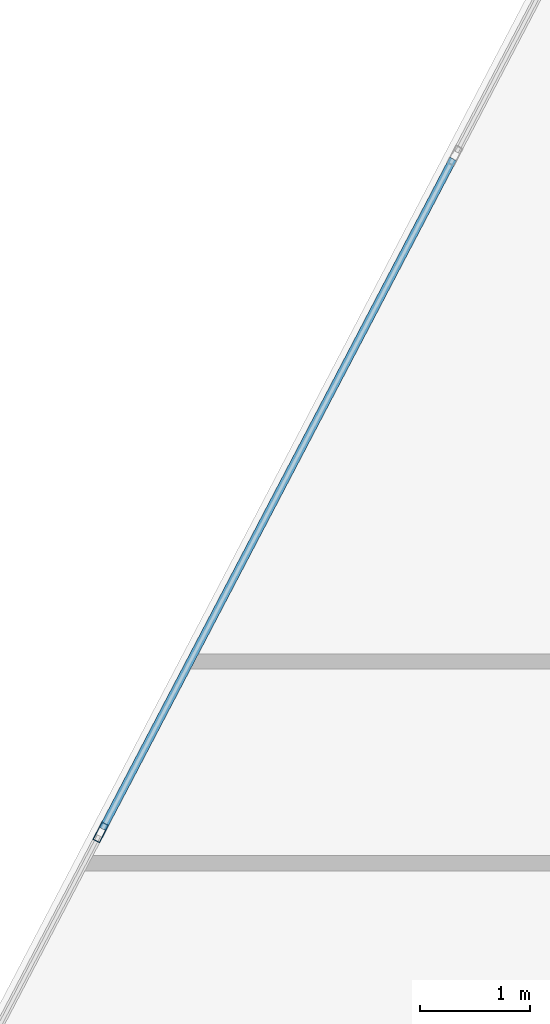
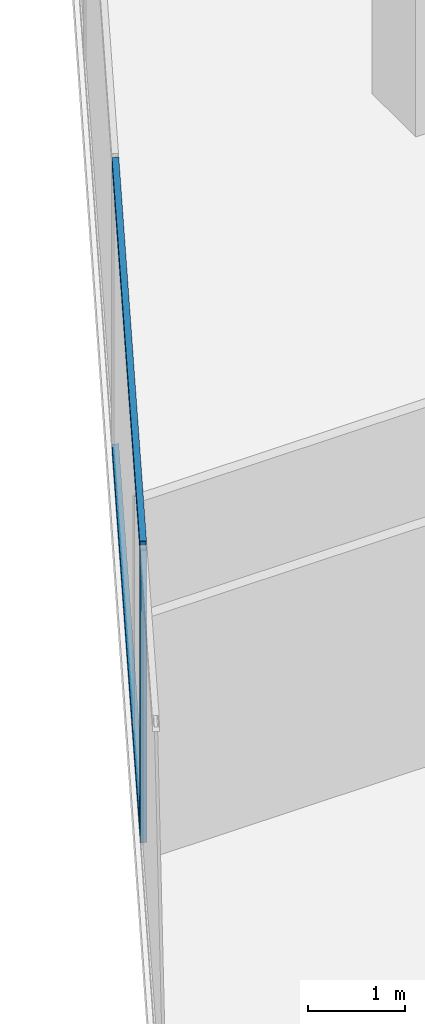
# One storey, part 7 of 27: 3 members, 1 element without a shape of its own.
"""IFC4 building model written with IfcOpenShell, lengths in metres."""

from ifc_helpers import new_model, si_unit, direction, frame, origin, origin_2d, place, context, subcontext, project, spatial, hollow_rectangle, extrude, source, transform, mapped, material, material_profile, profile_set, type_object, type_shapes, element, aggregate, save


model = new_model("IFC4")

# Units and contexts
model_context = context("Model", 3, precision=1e-05, world=origin(), true_north=direction((0.0, 1.0)))
body_context = subcontext(model_context, "Body", "Model", "MODEL_VIEW")
ifc_project = project(units=[si_unit("LENGTHUNIT", "METRE"), si_unit("AREAUNIT", "SQUARE_METRE"), si_unit("VOLUMEUNIT", "CUBIC_METRE"), si_unit("PLANEANGLEUNIT", "RADIAN"), si_unit("MASSUNIT", "GRAM", prefix="KILO")], contexts=[model_context])

# Site, building, storey
site_placement = place(None, origin())
site = spatial("IfcSite", under=ifc_project, at=site_placement, CompositionType="ELEMENT")
building_placement = place(site_placement, origin())
building = spatial("IfcBuilding", under=site, at=building_placement, Name="Krantzveldt Concourse Tower", CompositionType="ELEMENT")
storey_placement = place(building_placement, frame((0.0, 0.0, 154.10009765625)))
storey = spatial("IfcBuildingStorey", under=building, at=storey_placement, Name="L37", CompositionType="ELEMENT", Elevation=154.10009765625)

# Curtain wall, members
ifc_material = material(Name="Anodised aluminium 6063-T6", Category="aluminium")
curtain_wall_type = type_object("IfcCurtainWallType", Name="CW3", PredefinedType="USERDEFINED", material=ifc_material)
curtain_wall_placement = place(storey_placement, origin())
curtain_wall = element("IfcCurtainWall", 1, at=curtain_wall_placement, inside=storey, type_object=curtain_wall_type, Name="CW-L37-F01", ObjectType="UNITISED CURTAIN WALL", PredefinedType="USERDEFINED")
ifc_material_profile_1 = material_profile(ifc_material, hollow_rectangle(XDim=0.070068359375, YDim=0.179931640625, WallThickness=0.0048828125, at=origin_2d()), Name="Anodised aluminium 6063-T6", Category="aluminium")
ifc_profile_set_1 = profile_set([ifc_material_profile_1], Name="Anodised aluminium 6063-T6 - ALU-MULL 180x70x5")
member_type_1 = type_object("IfcMemberType", Name="CW-MUL-180", PredefinedType="MULLION", material=ifc_profile_set_1)
shared_shape_1 = source(origin(), body_context, "Body", "SweptSolid", [
    extrude(hollow_rectangle(XDim=0.070068359375, YDim=0.179931640625, WallThickness=0.0048828125, at=origin_2d()), origin(), (0.0, 0.0, 1.0), 3.669921875),
])
type_shapes(member_type_1, [shared_shape_1])
member_1_placement = place(storey_placement, frame((11.83544921875, 27.56298828125, 0.0), z_axis=(0.0, 0.0, 1.0), x_axis=(0.886001265743, -0.463682819502, 0.0)))
member_1 = element("IfcMember", 2, at=member_1_placement, type_object=member_type_1, Name="CW-Z34 mullion 5", PredefinedType="MULLION", context=body_context, shape_type="MappedRepresentation", body=[
    mapped(shared_shape_1, transform((0.0, 0.0, 0.0), x_axis=(1.0, 0.0, 0.0), y_axis=(0.0, 1.0, 0.0), z_axis=(0.0, 0.0, 1.0), scale=1.0)),
])
ifc_material_profile_2 = material_profile(ifc_material, hollow_rectangle(XDim=0.070068359375, YDim=0.139892578125, WallThickness=0.0048828125, at=origin_2d()), Name="Anodised aluminium 6063-T6", Category="aluminium")
ifc_profile_set_2 = profile_set([ifc_material_profile_2], Name="Anodised aluminium 6063-T6 - ALU-TRAN 140x70x5")
member_type_2 = type_object("IfcMemberType", Name="CW-TRN-150", PredefinedType="USERDEFINED", material=ifc_profile_set_2)
shared_shape_2 = source(origin(), body_context, "Body", "SweptSolid", [
    extrude(hollow_rectangle(XDim=0.070068359375, YDim=0.139892578125, WallThickness=0.0048828125, at=origin_2d()), origin(), (0.0, 0.0, 1.0), 6.89013671875),
])
type_shapes(member_type_2, [shared_shape_2])
member_2_placement = place(storey_placement, frame((15.04638671875, 33.69873046875, 0.034912109375), z_axis=(-0.463649467804, -0.886018719331, 0.0), x_axis=(0.886018719331, -0.463649467804, 0.0)))
member_2 = element("IfcMember", 3, at=member_2_placement, type_object=member_type_2, Name="CW-Z34 transom 4.1", ObjectType="TRANSOM", PredefinedType="USERDEFINED", context=body_context, shape_type="MappedRepresentation", body=[
    mapped(shared_shape_2, transform((0.0, 0.0, 0.0), x_axis=(1.0, 0.0, 0.0), y_axis=(0.0, 1.0, 0.0), z_axis=(0.0, 0.0, 1.0), scale=1.0)),
])
member_3_placement = place(storey_placement, frame((15.04638671875, 33.69873046875, 3.635009765625), z_axis=(-0.463649467804, -0.886018719331, 0.0), x_axis=(0.886018719331, -0.463649467804, 0.0)))
member_3 = element("IfcMember", 4, at=member_3_placement, type_object=member_type_2, Name="CW-Z34 transom 4.2", ObjectType="TRANSOM", PredefinedType="USERDEFINED", context=body_context, shape_type="MappedRepresentation", body=[
    mapped(shared_shape_2, transform((0.0, 0.0, 0.0), x_axis=(1.0, 0.0, 0.0), y_axis=(0.0, 1.0, 0.0), z_axis=(0.0, 0.0, 1.0), scale=1.0)),
])
aggregate(curtain_wall, [member_1, member_2, member_3])

save(model, "model.ifc")
